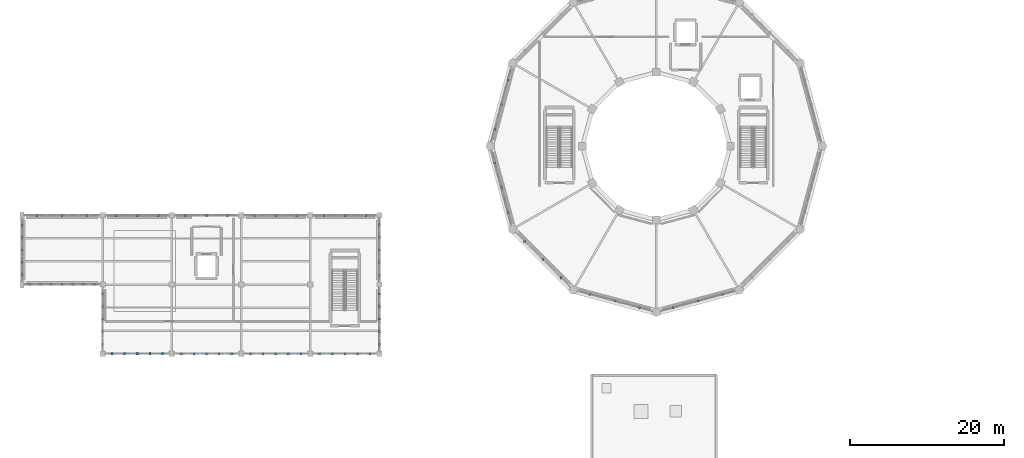
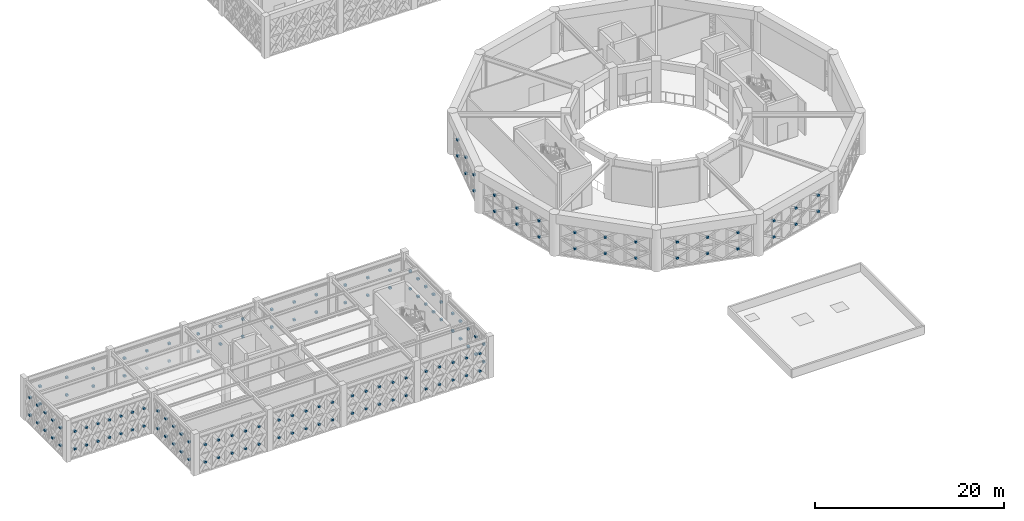
# One storey, part 68 of 72: 154 discrete accessories.
"""IFC4 building model written with IfcOpenShell, lengths in metres."""

from ifc_helpers import new_model, si_unit, direction, frame, origin, origin_2d, place, context, subcontext, project, spatial, rectangle, extrude, material, type_object, element, save


model = new_model("IFC4")

# Units and contexts
model_context = context("Model", 3, precision=1e-05, world=origin(), true_north=direction((0.0, 1.0)))
body_context = subcontext(model_context, "Body", "Model", "MODEL_VIEW")
ifc_project = project(units=[si_unit("LENGTHUNIT", "METRE"), si_unit("AREAUNIT", "SQUARE_METRE"), si_unit("VOLUMEUNIT", "CUBIC_METRE"), si_unit("PLANEANGLEUNIT", "RADIAN"), si_unit("MASSUNIT", "GRAM", prefix="KILO")], contexts=[model_context])

# Site, building, storey
site_placement = place(None, origin())
site = spatial("IfcSite", under=ifc_project, at=site_placement, CompositionType="ELEMENT")
building_placement = place(site_placement, origin())
building = spatial("IfcBuilding", under=site, at=building_placement, Name="Haizhuo Lancet Aquarium", CompositionType="ELEMENT")
storey_placement = place(building_placement, frame((0.0, 0.0, 21.60009765625)))
storey = spatial("IfcBuildingStorey", under=building, at=storey_placement, Name="L04", CompositionType="ELEMENT", Elevation=21.60009765625)

# Discrete accessories
ifc_material = material(Name="Steel S355", Category="steel")
discrete_accessory_type = type_object("IfcDiscreteAccessoryType", Name="ACC-END-CAP", PredefinedType="BRACKET", material=ifc_material)
for number, where, z_axis, x_axis, name in (
    (1, (-21.014892578125, 2.18310546875, 0.9267578125), (0.0, 0.0, 1.0), (1.0, 0.0, 0.0), "L04 X-brace crossing gusset plate XN-CW-V1-L04-06-LB01B1"),
    (2, (-21.014892578125, 2.18310546875, 3.01904296875), (0.0, 0.0, 1.0), (1.0, 0.0, 0.0), "L04 X-brace crossing gusset plate XN-CW-V1-L04-06-LB02B1"),
    (3, (-20.153076171875, 5.39990234375, 0.9267578125), (0.0, 0.0, 1.0), (1.0, 0.0, 0.0), "L04 X-brace crossing gusset plate XN-CW-V1-L04-06-LB03B1"),
    (4, (-20.153076171875, 5.39990234375, 3.01904296875), (0.0, 0.0, 1.0), (1.0, 0.0, 0.0), "L04 X-brace crossing gusset plate XN-CW-V1-L04-06-LB04B1"),
    (5, (-19.291015625, 8.616943359375, 0.9267578125), (0.0, 0.0, 1.0), (1.0, 0.0, 0.0), "L04 X-brace crossing gusset plate XN-CW-V1-L04-06-LB05B1"),
    (6, (-19.291015625, 8.616943359375, 3.01904296875), (0.0, 0.0, 1.0), (1.0, 0.0, 0.0), "L04 X-brace crossing gusset plate XN-CW-V1-L04-06-LB06B1"),
    (7, (-19.291015625, -8.616943359375, 0.9267578125), (0.0, 0.0, 1.0), (1.0, 0.0, 0.0), "L04 X-brace crossing gusset plate XN-CW-V1-L04-07-LB01B1"),
    (8, (-19.291015625, -8.616943359375, 3.01904296875), (0.0, 0.0, 1.0), (1.0, 0.0, 0.0), "L04 X-brace crossing gusset plate XN-CW-V1-L04-07-LB02B1"),
    (9, (-20.153076171875, -5.39990234375, 0.9267578125), (0.0, 0.0, 1.0), (1.0, 0.0, 0.0), "L04 X-brace crossing gusset plate XN-CW-V1-L04-07-LB03B1"),
    (10, (-20.153076171875, -5.39990234375, 3.01904296875), (0.0, 0.0, 1.0), (1.0, 0.0, 0.0), "L04 X-brace crossing gusset plate XN-CW-V1-L04-07-LB04B1"),
    (11, (-21.014892578125, -2.18310546875, 0.9267578125), (0.0, 0.0, 1.0), (1.0, 0.0, 0.0), "L04 X-brace crossing gusset plate XN-CW-V1-L04-07-LB05B1"),
    (12, (-21.014892578125, -2.18310546875, 3.01904296875), (0.0, 0.0, 1.0), (1.0, 0.0, 0.0), "L04 X-brace crossing gusset plate XN-CW-V1-L04-07-LB06B1"),
    (13, (-12.39892578125, -17.10791015625, 0.9267578125), (0.0, 0.0, 1.0), (1.0, 0.0, 0.0), "L04 X-brace crossing gusset plate XN-CW-V1-L04-08-LB01B1"),
    (14, (-12.39892578125, -17.10791015625, 3.01904296875), (0.0, 0.0, 1.0), (1.0, 0.0, 0.0), "L04 X-brace crossing gusset plate XN-CW-V1-L04-08-LB02B1"),
    (15, (-14.7529296875, -14.7529296875, 0.9267578125), (0.0, 0.0, 1.0), (1.0, 0.0, 0.0), "L04 X-brace crossing gusset plate XN-CW-V1-L04-08-LB03B1"),
    (16, (-14.7529296875, -14.7529296875, 3.01904296875), (0.0, 0.0, 1.0), (1.0, 0.0, 0.0), "L04 X-brace crossing gusset plate XN-CW-V1-L04-08-LB04B1"),
    (17, (-17.10791015625, -12.39892578125, 0.9267578125), (0.0, 0.0, 1.0), (1.0, 0.0, 0.0), "L04 X-brace crossing gusset plate XN-CW-V1-L04-08-LB05B1"),
    (18, (-17.10791015625, -12.39892578125, 3.01904296875), (0.0, 0.0, 1.0), (1.0, 0.0, 0.0), "L04 X-brace crossing gusset plate XN-CW-V1-L04-08-LB06B1"),
    (19, (-2.18310546875, -21.014892578125, 0.9267578125), (0.0, 0.0, 1.0), (1.0, 0.0, 0.0), "L04 X-brace crossing gusset plate XN-CW-V1-L04-09-LB01B1"),
    (20, (-2.18310546875, -21.014892578125, 3.01904296875), (0.0, 0.0, 1.0), (1.0, 0.0, 0.0), "L04 X-brace crossing gusset plate XN-CW-V1-L04-09-LB02B1"),
    (21, (-5.39990234375, -20.153076171875, 0.9267578125), (0.0, 0.0, 1.0), (1.0, 0.0, 0.0), "L04 X-brace crossing gusset plate XN-CW-V1-L04-09-LB03B1"),
    (22, (-5.39990234375, -20.153076171875, 3.01904296875), (0.0, 0.0, 1.0), (1.0, 0.0, 0.0), "L04 X-brace crossing gusset plate XN-CW-V1-L04-09-LB04B1"),
    (23, (-8.616943359375, -19.291015625, 0.9267578125), (0.0, 0.0, 1.0), (1.0, 0.0, 0.0), "L04 X-brace crossing gusset plate XN-CW-V1-L04-09-LB05B1"),
    (24, (-8.616943359375, -19.291015625, 3.01904296875), (0.0, 0.0, 1.0), (1.0, 0.0, 0.0), "L04 X-brace crossing gusset plate XN-CW-V1-L04-09-LB06B1"),
    (25, (8.616943359375, -19.291015625, 0.9267578125), (0.0, 0.0, 1.0), (1.0, 0.0, 0.0), "L04 X-brace crossing gusset plate XN-CW-V1-L04-10-LB01B1"),
    (26, (8.616943359375, -19.291015625, 3.01904296875), (0.0, 0.0, 1.0), (1.0, 0.0, 0.0), "L04 X-brace crossing gusset plate XN-CW-V1-L04-10-LB02B1"),
    (27, (5.39990234375, -20.153076171875, 0.9267578125), (0.0, 0.0, 1.0), (1.0, 0.0, 0.0), "L04 X-brace crossing gusset plate XN-CW-V1-L04-10-LB03B1"),
    (28, (5.39990234375, -20.153076171875, 3.01904296875), (0.0, 0.0, 1.0), (1.0, 0.0, 0.0), "L04 X-brace crossing gusset plate XN-CW-V1-L04-10-LB04B1"),
    (29, (2.18310546875, -21.014892578125, 0.9267578125), (0.0, 0.0, 1.0), (1.0, 0.0, 0.0), "L04 X-brace crossing gusset plate XN-CW-V1-L04-10-LB05B1"),
    (30, (2.18310546875, -21.014892578125, 3.01904296875), (0.0, 0.0, 1.0), (1.0, 0.0, 0.0), "L04 X-brace crossing gusset plate XN-CW-V1-L04-10-LB06B1"),
    (31, (-73.095947265625, -18.0, 1.01806640625), (0.0, 0.0, 1.0), (1.0, 0.0, 0.0), "L04 X-brace crossing gusset plate XN-CW-V6-L04-244-LB01B1"),
    (32, (-73.095947265625, -18.0, 3.2919921875), (0.0, 0.0, 1.0), (1.0, 0.0, 0.0), "L04 X-brace crossing gusset plate XN-CW-V6-L04-244-LB02B1"),
    (33, (-74.4970703125, -18.0, 1.01806640625), (0.0, 0.0, 1.0), (1.0, 0.0, 0.0), "L04 X-brace crossing gusset plate XN-CW-V6-L04-244-LB03B1"),
    (34, (-74.4970703125, -18.0, 3.2919921875), (0.0, 0.0, 1.0), (1.0, 0.0, 0.0), "L04 X-brace crossing gusset plate XN-CW-V6-L04-244-LB04B1"),
    (35, (-75.89794921875, -18.0, 1.01806640625), (0.0, 0.0, 1.0), (1.0, 0.0, 0.0), "L04 X-brace crossing gusset plate XN-CW-V6-L04-244-LB05B1"),
    (36, (-75.89794921875, -18.0, 3.2919921875), (0.0, 0.0, 1.0), (1.0, 0.0, 0.0), "L04 X-brace crossing gusset plate XN-CW-V6-L04-244-LB06B1"),
    (37, (-77.300048828125, -18.0, 1.01806640625), (0.0, 0.0, 1.0), (1.0, 0.0, 0.0), "L04 X-brace crossing gusset plate XN-CW-V6-L04-244-LB07B1"),
    (38, (-77.300048828125, -18.0, 3.2919921875), (0.0, 0.0, 1.0), (1.0, 0.0, 0.0), "L04 X-brace crossing gusset plate XN-CW-V6-L04-244-LB08B1"),
    (39, (-78.701904296875, -18.0, 1.01806640625), (0.0, 0.0, 1.0), (1.0, 0.0, 0.0), "L04 X-brace crossing gusset plate XN-CW-V6-L04-244-LB09B1"),
    (40, (-78.701904296875, -18.0, 3.2919921875), (0.0, 0.0, 1.0), (1.0, 0.0, 0.0), "L04 X-brace crossing gusset plate XN-CW-V6-L04-244-LB10B1"),
    (41, (-80.10302734375, -18.0, 1.01806640625), (0.0, 0.0, 1.0), (1.0, 0.0, 0.0), "L04 X-brace crossing gusset plate XN-CW-V6-L04-244-LB11B1"),
    (42, (-80.10302734375, -18.0, 3.2919921875), (0.0, 0.0, 1.0), (1.0, 0.0, 0.0), "L04 X-brace crossing gusset plate XN-CW-V6-L04-244-LB12B1"),
    (43, (-81.5048828125, -18.0, 1.01806640625), (0.0, 0.0, 1.0), (1.0, 0.0, 0.0), "L04 X-brace crossing gusset plate XN-CW-V6-L04-244-LB13B1"),
    (44, (-81.5048828125, -18.0, 3.2919921875), (0.0, 0.0, 1.0), (1.0, 0.0, 0.0), "L04 X-brace crossing gusset plate XN-CW-V6-L04-244-LB14B1"),
    (45, (-82.5, -16.7041015625, 1.01806640625), (0.0, 0.0, 1.0), (1.0, 0.0, 0.0), "L04 X-brace crossing gusset plate XN-CW-V6-L04-245-LB01B1"),
    (46, (-82.5, -16.7041015625, 3.2919921875), (0.0, 0.0, 1.0), (1.0, 0.0, 0.0), "L04 X-brace crossing gusset plate XN-CW-V6-L04-245-LB02B1"),
    (47, (-82.5, -15.10205078125, 1.01806640625), (0.0, 0.0, 1.0), (1.0, 0.0, 0.0), "L04 X-brace crossing gusset plate XN-CW-V6-L04-245-LB03B1"),
    (48, (-82.5, -15.10205078125, 3.2919921875), (0.0, 0.0, 1.0), (1.0, 0.0, 0.0), "L04 X-brace crossing gusset plate XN-CW-V6-L04-245-LB04B1"),
    (49, (-82.5, -13.5, 1.01806640625), (0.0, 0.0, 1.0), (1.0, 0.0, 0.0), "L04 X-brace crossing gusset plate XN-CW-V6-L04-245-LB05B1"),
    (50, (-82.5, -13.5, 3.2919921875), (0.0, 0.0, 1.0), (1.0, 0.0, 0.0), "L04 X-brace crossing gusset plate XN-CW-V6-L04-245-LB06B1"),
    (51, (-82.5, -11.89794921875, 1.01806640625), (0.0, 0.0, 1.0), (1.0, 0.0, 0.0), "L04 X-brace crossing gusset plate XN-CW-V6-L04-245-LB07B1"),
    (52, (-82.5, -11.89794921875, 3.2919921875), (0.0, 0.0, 1.0), (1.0, 0.0, 0.0), "L04 X-brace crossing gusset plate XN-CW-V6-L04-245-LB08B1"),
    (53, (-82.5, -10.2958984375, 1.01806640625), (0.0, 0.0, 1.0), (1.0, 0.0, 0.0), "L04 X-brace crossing gusset plate XN-CW-V6-L04-245-LB09B1"),
    (54, (-82.5, -10.2958984375, 3.2919921875), (0.0, 0.0, 1.0), (1.0, 0.0, 0.0), "L04 X-brace crossing gusset plate XN-CW-V6-L04-245-LB10B1"),
    (55, (-80.570068359375, -9.0, 1.01806640625), (0.0, 0.0, 1.0), (1.0, 0.0, 0.0), "L04 X-brace crossing gusset plate XN-CW-V6-L04-246-LB01B1"),
    (56, (-80.570068359375, -9.0, 3.2919921875), (0.0, 0.0, 1.0), (1.0, 0.0, 0.0), "L04 X-brace crossing gusset plate XN-CW-V6-L04-246-LB02B1"),
    (57, (-77.300048828125, -9.0, 1.01806640625), (0.0, 0.0, 1.0), (1.0, 0.0, 0.0), "L04 X-brace crossing gusset plate XN-CW-V6-L04-246-LB03B1"),
    (58, (-77.300048828125, -9.0, 3.2919921875), (0.0, 0.0, 1.0), (1.0, 0.0, 0.0), "L04 X-brace crossing gusset plate XN-CW-V6-L04-246-LB04B1"),
    (59, (-74.030029296875, -9.0, 1.01806640625), (0.0, 0.0, 1.0), (1.0, 0.0, 0.0), "L04 X-brace crossing gusset plate XN-CW-V6-L04-246-LB05B1"),
    (60, (-74.030029296875, -9.0, 3.2919921875), (0.0, 0.0, 1.0), (1.0, 0.0, 0.0), "L04 X-brace crossing gusset plate XN-CW-V6-L04-246-LB06B1"),
    (61, (-70.237060546875, -9.0, 1.01806640625), (0.0, 0.0, 1.0), (1.0, 0.0, 0.0), "L04 X-brace crossing gusset plate XN-CW-V6-L04-247-LB01B1"),
    (62, (-70.237060546875, -9.0, 3.2919921875), (0.0, 0.0, 1.0), (1.0, 0.0, 0.0), "L04 X-brace crossing gusset plate XN-CW-V6-L04-247-LB02B1"),
    (63, (-67.5, -9.0, 1.01806640625), (0.0, 0.0, 1.0), (1.0, 0.0, 0.0), "L04 X-brace crossing gusset plate XN-CW-V6-L04-247-LB03B1"),
    (64, (-67.5, -9.0, 3.2919921875), (0.0, 0.0, 1.0), (1.0, 0.0, 0.0), "L04 X-brace crossing gusset plate XN-CW-V6-L04-247-LB04B1"),
    (65, (-64.763916015625, -9.0, 1.01806640625), (0.0, 0.0, 1.0), (1.0, 0.0, 0.0), "L04 X-brace crossing gusset plate XN-CW-V6-L04-247-LB05B1"),
    (66, (-64.763916015625, -9.0, 3.2919921875), (0.0, 0.0, 1.0), (1.0, 0.0, 0.0), "L04 X-brace crossing gusset plate XN-CW-V6-L04-247-LB06B1"),
    (67, (-61.236083984375, -9.0, 1.01806640625), (0.0, 0.0, 1.0), (1.0, 0.0, 0.0), "L04 X-brace crossing gusset plate XN-CW-V6-L04-248-LB01B1"),
    (68, (-61.236083984375, -9.0, 3.2919921875), (0.0, 0.0, 1.0), (1.0, 0.0, 0.0), "L04 X-brace crossing gusset plate XN-CW-V6-L04-248-LB02B1"),
    (69, (-58.5, -9.0, 1.01806640625), (0.0, 0.0, 1.0), (1.0, 0.0, 0.0), "L04 X-brace crossing gusset plate XN-CW-V6-L04-248-LB03B1"),
    (70, (-58.5, -9.0, 3.2919921875), (0.0, 0.0, 1.0), (1.0, 0.0, 0.0), "L04 X-brace crossing gusset plate XN-CW-V6-L04-248-LB04B1"),
    (71, (-55.763916015625, -9.0, 1.01806640625), (0.0, 0.0, 1.0), (1.0, 0.0, 0.0), "L04 X-brace crossing gusset plate XN-CW-V6-L04-248-LB05B1"),
    (72, (-55.763916015625, -9.0, 3.2919921875), (0.0, 0.0, 1.0), (1.0, 0.0, 0.0), "L04 X-brace crossing gusset plate XN-CW-V6-L04-248-LB06B1"),
    (73, (-52.236083984375, -9.0, 1.01806640625), (0.0, 0.0, 1.0), (1.0, 0.0, 0.0), "L04 X-brace crossing gusset plate XN-CW-V6-L04-249-LB01B1"),
    (74, (-52.236083984375, -9.0, 3.2919921875), (0.0, 0.0, 1.0), (1.0, 0.0, 0.0), "L04 X-brace crossing gusset plate XN-CW-V6-L04-249-LB02B1"),
    (75, (-49.5, -9.0, 1.01806640625), (0.0, 0.0, 1.0), (1.0, 0.0, 0.0), "L04 X-brace crossing gusset plate XN-CW-V6-L04-249-LB03B1"),
    (76, (-49.5, -9.0, 3.2919921875), (0.0, 0.0, 1.0), (1.0, 0.0, 0.0), "L04 X-brace crossing gusset plate XN-CW-V6-L04-249-LB04B1"),
    (77, (-46.763916015625, -9.0, 1.01806640625), (0.0, 0.0, 1.0), (1.0, 0.0, 0.0), "L04 X-brace crossing gusset plate XN-CW-V6-L04-249-LB05B1"),
    (78, (-46.763916015625, -9.0, 3.2919921875), (0.0, 0.0, 1.0), (1.0, 0.0, 0.0), "L04 X-brace crossing gusset plate XN-CW-V6-L04-249-LB06B1"),
    (79, (-43.236083984375, -9.0, 1.01806640625), (0.0, 0.0, 1.0), (1.0, 0.0, 0.0), "L04 X-brace crossing gusset plate XN-CW-V6-L04-250-LB01B1"),
    (80, (-43.236083984375, -9.0, 3.2919921875), (0.0, 0.0, 1.0), (1.0, 0.0, 0.0), "L04 X-brace crossing gusset plate XN-CW-V6-L04-250-LB02B1"),
    (81, (-40.5, -9.0, 1.01806640625), (0.0, 0.0, 1.0), (1.0, 0.0, 0.0), "L04 X-brace crossing gusset plate XN-CW-V6-L04-250-LB03B1"),
    (82, (-40.5, -9.0, 3.2919921875), (0.0, 0.0, 1.0), (1.0, 0.0, 0.0), "L04 X-brace crossing gusset plate XN-CW-V6-L04-250-LB04B1"),
    (83, (-37.763916015625, -9.0, 1.01806640625), (0.0, 0.0, 1.0), (1.0, 0.0, 0.0), "L04 X-brace crossing gusset plate XN-CW-V6-L04-250-LB05B1"),
    (84, (-37.763916015625, -9.0, 3.2919921875), (0.0, 0.0, 1.0), (1.0, 0.0, 0.0), "L04 X-brace crossing gusset plate XN-CW-V6-L04-250-LB06B1"),
    (85, (-36.0, -10.216064453125, 1.01806640625), (0.0, 0.0, 1.0), (1.0, 0.0, 0.0), "L04 X-brace crossing gusset plate XN-CW-V6-L04-251-LB01B1"),
    (86, (-36.0, -10.216064453125, 3.2919921875), (0.0, 0.0, 1.0), (1.0, 0.0, 0.0), "L04 X-brace crossing gusset plate XN-CW-V6-L04-251-LB02B1"),
    (87, (-36.0, -11.85791015625, 1.01806640625), (0.0, 0.0, 1.0), (1.0, 0.0, 0.0), "L04 X-brace crossing gusset plate XN-CW-V6-L04-251-LB03B1"),
    (88, (-36.0, -11.85791015625, 3.2919921875), (0.0, 0.0, 1.0), (1.0, 0.0, 0.0), "L04 X-brace crossing gusset plate XN-CW-V6-L04-251-LB04B1"),
    (89, (-36.0, -13.5, 1.01806640625), (0.0, 0.0, 1.0), (1.0, 0.0, 0.0), "L04 X-brace crossing gusset plate XN-CW-V6-L04-251-LB05B1"),
    (90, (-36.0, -13.5, 3.2919921875), (0.0, 0.0, 1.0), (1.0, 0.0, 0.0), "L04 X-brace crossing gusset plate XN-CW-V6-L04-251-LB06B1"),
    (91, (-36.0, -15.14208984375, 1.01806640625), (0.0, 0.0, 1.0), (1.0, 0.0, 0.0), "L04 X-brace crossing gusset plate XN-CW-V6-L04-251-LB07B1"),
    (92, (-36.0, -15.14208984375, 3.2919921875), (0.0, 0.0, 1.0), (1.0, 0.0, 0.0), "L04 X-brace crossing gusset plate XN-CW-V6-L04-251-LB08B1"),
    (93, (-36.0, -16.783935546875, 1.01806640625), (0.0, 0.0, 1.0), (1.0, 0.0, 0.0), "L04 X-brace crossing gusset plate XN-CW-V6-L04-251-LB09B1"),
    (94, (-36.0, -16.783935546875, 3.2919921875), (0.0, 0.0, 1.0), (1.0, 0.0, 0.0), "L04 X-brace crossing gusset plate XN-CW-V6-L04-251-LB10B1"),
    (95, (-36.0, -19.216064453125, 1.01806640625), (0.0, 0.0, 1.0), (1.0, 0.0, 0.0), "L04 X-brace crossing gusset plate XN-CW-V6-L04-252-LB01B1"),
    (96, (-36.0, -19.216064453125, 3.2919921875), (0.0, 0.0, 1.0), (1.0, 0.0, 0.0), "L04 X-brace crossing gusset plate XN-CW-V6-L04-252-LB02B1"),
    (97, (-36.0, -20.85791015625, 1.01806640625), (0.0, 0.0, 1.0), (1.0, 0.0, 0.0), "L04 X-brace crossing gusset plate XN-CW-V6-L04-252-LB03B1"),
    (98, (-36.0, -20.85791015625, 3.2919921875), (0.0, 0.0, 1.0), (1.0, 0.0, 0.0), "L04 X-brace crossing gusset plate XN-CW-V6-L04-252-LB04B1"),
    (99, (-36.0, -22.5, 1.01806640625), (0.0, 0.0, 1.0), (1.0, 0.0, 0.0), "L04 X-brace crossing gusset plate XN-CW-V6-L04-252-LB05B1"),
    (100, (-36.0, -22.5, 3.2919921875), (0.0, 0.0, 1.0), (1.0, 0.0, 0.0), "L04 X-brace crossing gusset plate XN-CW-V6-L04-252-LB06B1"),
    (101, (-36.0, -24.14208984375, 1.01806640625), (0.0, 0.0, 1.0), (1.0, 0.0, 0.0), "L04 X-brace crossing gusset plate XN-CW-V6-L04-252-LB07B1"),
    (102, (-36.0, -24.14208984375, 3.2919921875), (0.0, 0.0, 1.0), (1.0, 0.0, 0.0), "L04 X-brace crossing gusset plate XN-CW-V6-L04-252-LB08B1"),
    (103, (-36.0, -25.783935546875, 1.01806640625), (0.0, 0.0, 1.0), (1.0, 0.0, 0.0), "L04 X-brace crossing gusset plate XN-CW-V6-L04-252-LB09B1"),
    (104, (-36.0, -25.783935546875, 3.2919921875), (0.0, 0.0, 1.0), (1.0, 0.0, 0.0), "L04 X-brace crossing gusset plate XN-CW-V6-L04-252-LB10B1"),
    (105, (-37.216064453125, -27.0, 1.01806640625), (0.0, 0.0, 1.0), (1.0, 0.0, 0.0), "L04 X-brace crossing gusset plate XN-CW-V6-L04-253-LB01B1"),
    (106, (-37.216064453125, -27.0, 3.2919921875), (0.0, 0.0, 1.0), (1.0, 0.0, 0.0), "L04 X-brace crossing gusset plate XN-CW-V6-L04-253-LB02B1"),
    (107, (-38.85791015625, -27.0, 1.01806640625), (0.0, 0.0, 1.0), (1.0, 0.0, 0.0), "L04 X-brace crossing gusset plate XN-CW-V6-L04-253-LB03B1"),
    (108, (-38.85791015625, -27.0, 3.2919921875), (0.0, 0.0, 1.0), (1.0, 0.0, 0.0), "L04 X-brace crossing gusset plate XN-CW-V6-L04-253-LB04B1"),
    (109, (-40.5, -27.0, 1.01806640625), (0.0, 0.0, 1.0), (1.0, 0.0, 0.0), "L04 X-brace crossing gusset plate XN-CW-V6-L04-253-LB05B1"),
    (110, (-40.5, -27.0, 3.2919921875), (0.0, 0.0, 1.0), (1.0, 0.0, 0.0), "L04 X-brace crossing gusset plate XN-CW-V6-L04-253-LB06B1"),
    (111, (-42.14208984375, -27.0, 1.01806640625), (0.0, 0.0, 1.0), (1.0, 0.0, 0.0), "L04 X-brace crossing gusset plate XN-CW-V6-L04-253-LB07B1"),
    (112, (-42.14208984375, -27.0, 3.2919921875), (0.0, 0.0, 1.0), (1.0, 0.0, 0.0), "L04 X-brace crossing gusset plate XN-CW-V6-L04-253-LB08B1"),
    (113, (-43.783935546875, -27.0, 1.01806640625), (0.0, 0.0, 1.0), (1.0, 0.0, 0.0), "L04 X-brace crossing gusset plate XN-CW-V6-L04-253-LB09B1"),
    (114, (-43.783935546875, -27.0, 3.2919921875), (0.0, 0.0, 1.0), (1.0, 0.0, 0.0), "L04 X-brace crossing gusset plate XN-CW-V6-L04-253-LB10B1"),
    (115, (-46.216064453125, -27.0, 1.01806640625), (0.0, 0.0, 1.0), (1.0, 0.0, 0.0), "L04 X-brace crossing gusset plate XN-CW-V6-L04-254-LB01B1"),
    (116, (-46.216064453125, -27.0, 3.2919921875), (0.0, 0.0, 1.0), (1.0, 0.0, 0.0), "L04 X-brace crossing gusset plate XN-CW-V6-L04-254-LB02B1"),
    (117, (-47.85791015625, -27.0, 1.01806640625), (0.0, 0.0, 1.0), (1.0, 0.0, 0.0), "L04 X-brace crossing gusset plate XN-CW-V6-L04-254-LB03B1"),
    (118, (-47.85791015625, -27.0, 3.2919921875), (0.0, 0.0, 1.0), (1.0, 0.0, 0.0), "L04 X-brace crossing gusset plate XN-CW-V6-L04-254-LB04B1"),
    (119, (-49.5, -27.0, 1.01806640625), (0.0, 0.0, 1.0), (1.0, 0.0, 0.0), "L04 X-brace crossing gusset plate XN-CW-V6-L04-254-LB05B1"),
    (120, (-49.5, -27.0, 3.2919921875), (0.0, 0.0, 1.0), (1.0, 0.0, 0.0), "L04 X-brace crossing gusset plate XN-CW-V6-L04-254-LB06B1"),
    (121, (-51.14208984375, -27.0, 1.01806640625), (0.0, 0.0, 1.0), (1.0, 0.0, 0.0), "L04 X-brace crossing gusset plate XN-CW-V6-L04-254-LB07B1"),
    (122, (-51.14208984375, -27.0, 3.2919921875), (0.0, 0.0, 1.0), (1.0, 0.0, 0.0), "L04 X-brace crossing gusset plate XN-CW-V6-L04-254-LB08B1"),
    (123, (-52.783935546875, -27.0, 1.01806640625), (0.0, 0.0, 1.0), (1.0, 0.0, 0.0), "L04 X-brace crossing gusset plate XN-CW-V6-L04-254-LB09B1"),
    (124, (-52.783935546875, -27.0, 3.2919921875), (0.0, 0.0, 1.0), (1.0, 0.0, 0.0), "L04 X-brace crossing gusset plate XN-CW-V6-L04-254-LB10B1"),
    (125, (-55.216064453125, -27.0, 1.01806640625), (0.0, 0.0, 1.0), (1.0, 0.0, 0.0), "L04 X-brace crossing gusset plate XN-CW-V6-L04-255-LB01B1"),
    (126, (-55.216064453125, -27.0, 3.2919921875), (0.0, 0.0, 1.0), (1.0, 0.0, 0.0), "L04 X-brace crossing gusset plate XN-CW-V6-L04-255-LB02B1"),
    (127, (-56.85791015625, -27.0, 1.01806640625), (0.0, 0.0, 1.0), (1.0, 0.0, 0.0), "L04 X-brace crossing gusset plate XN-CW-V6-L04-255-LB03B1"),
    (128, (-56.85791015625, -27.0, 3.2919921875), (0.0, 0.0, 1.0), (1.0, 0.0, 0.0), "L04 X-brace crossing gusset plate XN-CW-V6-L04-255-LB04B1"),
    (129, (-58.5, -27.0, 1.01806640625), (0.0, 0.0, 1.0), (1.0, 0.0, 0.0), "L04 X-brace crossing gusset plate XN-CW-V6-L04-255-LB05B1"),
    (130, (-58.5, -27.0, 3.2919921875), (0.0, 0.0, 1.0), (1.0, 0.0, 0.0), "L04 X-brace crossing gusset plate XN-CW-V6-L04-255-LB06B1"),
    (131, (-60.14208984375, -27.0, 1.01806640625), (0.0, 0.0, 1.0), (1.0, 0.0, 0.0), "L04 X-brace crossing gusset plate XN-CW-V6-L04-255-LB07B1"),
    (132, (-60.14208984375, -27.0, 3.2919921875), (0.0, 0.0, 1.0), (1.0, 0.0, 0.0), "L04 X-brace crossing gusset plate XN-CW-V6-L04-255-LB08B1"),
    (133, (-61.783935546875, -27.0, 1.01806640625), (0.0, 0.0, 1.0), (1.0, 0.0, 0.0), "L04 X-brace crossing gusset plate XN-CW-V6-L04-255-LB09B1"),
    (134, (-61.783935546875, -27.0, 3.2919921875), (0.0, 0.0, 1.0), (1.0, 0.0, 0.0), "L04 X-brace crossing gusset plate XN-CW-V6-L04-255-LB10B1"),
    (135, (-64.216064453125, -27.0, 1.01806640625), (0.0, 0.0, 1.0), (1.0, 0.0, 0.0), "L04 X-brace crossing gusset plate XN-CW-V6-L04-256-LB01B1"),
    (136, (-64.216064453125, -27.0, 3.2919921875), (0.0, 0.0, 1.0), (1.0, 0.0, 0.0), "L04 X-brace crossing gusset plate XN-CW-V6-L04-256-LB02B1"),
    (137, (-65.85791015625, -27.0, 1.01806640625), (0.0, 0.0, 1.0), (1.0, 0.0, 0.0), "L04 X-brace crossing gusset plate XN-CW-V6-L04-256-LB03B1"),
    (138, (-65.85791015625, -27.0, 3.2919921875), (0.0, 0.0, 1.0), (1.0, 0.0, 0.0), "L04 X-brace crossing gusset plate XN-CW-V6-L04-256-LB04B1"),
    (139, (-67.5, -27.0, 1.01806640625), (0.0, 0.0, 1.0), (1.0, 0.0, 0.0), "L04 X-brace crossing gusset plate XN-CW-V6-L04-256-LB05B1"),
    (140, (-67.5, -27.0, 3.2919921875), (0.0, 0.0, 1.0), (1.0, 0.0, 0.0), "L04 X-brace crossing gusset plate XN-CW-V6-L04-256-LB06B1"),
    (141, (-69.14208984375, -27.0, 1.01806640625), (0.0, 0.0, 1.0), (1.0, 0.0, 0.0), "L04 X-brace crossing gusset plate XN-CW-V6-L04-256-LB07B1"),
    (142, (-69.14208984375, -27.0, 3.2919921875), (0.0, 0.0, 1.0), (1.0, 0.0, 0.0), "L04 X-brace crossing gusset plate XN-CW-V6-L04-256-LB08B1"),
    (143, (-70.783935546875, -27.0, 1.01806640625), (0.0, 0.0, 1.0), (1.0, 0.0, 0.0), "L04 X-brace crossing gusset plate XN-CW-V6-L04-256-LB09B1"),
    (144, (-70.783935546875, -27.0, 3.2919921875), (0.0, 0.0, 1.0), (1.0, 0.0, 0.0), "L04 X-brace crossing gusset plate XN-CW-V6-L04-256-LB10B1"),
    (145, (-72.0, -25.783935546875, 1.01806640625), (0.0, 0.0, 1.0), (1.0, 0.0, 0.0), "L04 X-brace crossing gusset plate XN-CW-V6-L04-257-LB01B1"),
    (146, (-72.0, -25.783935546875, 3.2919921875), (0.0, 0.0, 1.0), (1.0, 0.0, 0.0), "L04 X-brace crossing gusset plate XN-CW-V6-L04-257-LB02B1"),
    (147, (-72.0, -24.14208984375, 1.01806640625), (0.0, 0.0, 1.0), (1.0, 0.0, 0.0), "L04 X-brace crossing gusset plate XN-CW-V6-L04-257-LB03B1"),
    (148, (-72.0, -24.14208984375, 3.2919921875), (0.0, 0.0, 1.0), (1.0, 0.0, 0.0), "L04 X-brace crossing gusset plate XN-CW-V6-L04-257-LB04B1"),
    (149, (-72.0, -22.5, 1.01806640625), (0.0, 0.0, 1.0), (1.0, 0.0, 0.0), "L04 X-brace crossing gusset plate XN-CW-V6-L04-257-LB05B1"),
    (150, (-72.0, -22.5, 3.2919921875), (0.0, 0.0, 1.0), (1.0, 0.0, 0.0), "L04 X-brace crossing gusset plate XN-CW-V6-L04-257-LB06B1"),
    (151, (-72.0, -20.85791015625, 1.01806640625), (0.0, 0.0, 1.0), (1.0, 0.0, 0.0), "L04 X-brace crossing gusset plate XN-CW-V6-L04-257-LB07B1"),
    (152, (-72.0, -20.85791015625, 3.2919921875), (0.0, 0.0, 1.0), (1.0, 0.0, 0.0), "L04 X-brace crossing gusset plate XN-CW-V6-L04-257-LB08B1"),
    (153, (-72.0, -19.216064453125, 1.01806640625), (0.0, 0.0, 1.0), (1.0, 0.0, 0.0), "L04 X-brace crossing gusset plate XN-CW-V6-L04-257-LB09B1"),
    (154, (-72.0, -19.216064453125, 3.2919921875), (0.0, 0.0, 1.0), (1.0, 0.0, 0.0), "L04 X-brace crossing gusset plate XN-CW-V6-L04-257-LB10B1"),
):
    element("IfcDiscreteAccessory", number, at=place(storey_placement, frame(where, z_axis=z_axis, x_axis=x_axis)), inside=storey, type_object=discrete_accessory_type, material=ifc_material, Name=name, PredefinedType="BRACKET", context=body_context, shape_type="SweptSolid", body=[
        extrude(rectangle(XDim=0.280029296875, YDim=0.280029296875, at=origin_2d()), origin(), (0.0, 0.0, 1.0), 0.239990234375),
    ])

save(model, "model.ifc")
